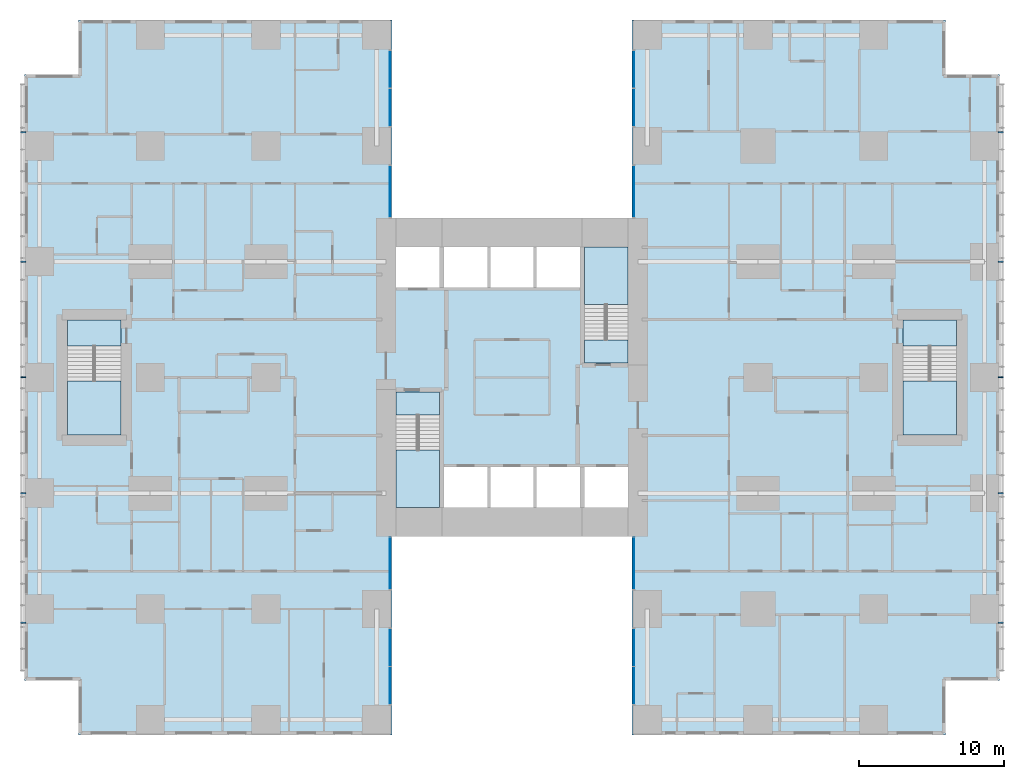
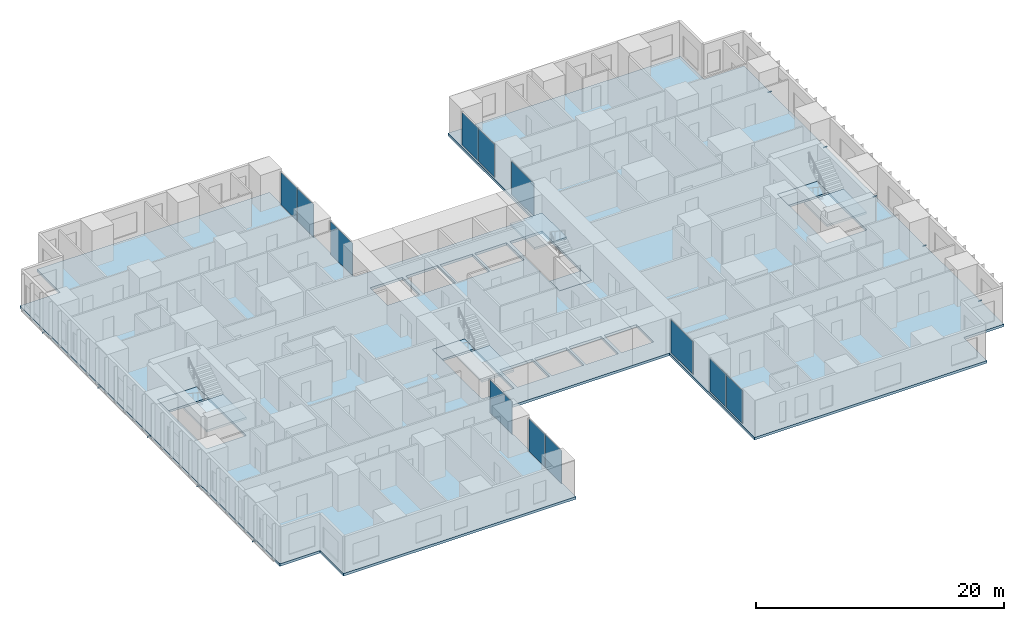
# One storey, part 7 of 20: 12 plates, 10 members, 9 slabs, 12 elements without a shape of their own.
"""IFC4 building model written with IfcOpenShell, lengths in metres."""

from ifc_helpers import new_model, si_unit, direction, frame, origin, origin_2d, place, context, subcontext, project, spatial, polyline, rectangle, hollow_rectangle, outline, extrude, material, layer, layer_set, material_profile, profile_set, type_object, element, aggregate, save


model = new_model("IFC4")

# Units and contexts
model_context = context("Model", 3, precision=1e-05, world=origin(), true_north=direction((0.0, 1.0)))
body_context = subcontext(model_context, "Body", "Model", "MODEL_VIEW")
ifc_project = project(units=[si_unit("LENGTHUNIT", "METRE"), si_unit("AREAUNIT", "SQUARE_METRE"), si_unit("VOLUMEUNIT", "CUBIC_METRE"), si_unit("PLANEANGLEUNIT", "RADIAN"), si_unit("MASSUNIT", "GRAM", prefix="KILO")], contexts=[model_context])

# Site, building, storey
site_placement = place(None, origin())
site = spatial("IfcSite", under=ifc_project, at=site_placement, CompositionType="ELEMENT")
building_placement = place(site_placement, origin())
building = spatial("IfcBuilding", under=site, at=building_placement, Name="Cleftline Residences", CompositionType="ELEMENT")
storey_placement = place(building_placement, frame((0.0, 0.0, 40.39990234375)))
storey = spatial("IfcBuildingStorey", under=building, at=storey_placement, Name="L09", CompositionType="ELEMENT", Elevation=40.39990234375)

# Members
ifc_material_1 = material(Name="Steel S355, hot-dip galvanised", Category="steel")
ifc_material_profile = material_profile(ifc_material_1, hollow_rectangle(XDim=0.10009765625, YDim=0.10009765625, WallThickness=0.008056640625, InnerFilletRadius=0.008056640625, OuterFilletRadius=0.011962890625, at=origin_2d()))
ifc_profile_set = profile_set([ifc_material_profile], Name="Steel S355, hot-dip galvanised")
member_type = type_object("IfcMemberType", Name="BAGUETTE BRACKET SHS 100X100X8", PredefinedType="USERDEFINED", material=ifc_profile_set)
for number, where, z_axis, x_axis, name in (
    (1, (66.60009765625, 7.050048828125, -0.14990234375), (1.0, 0.0, 0.0), (0.0, 1.0, 0.0), "Baguette bracket"),
    (2, (66.60009765625, 16.0, -0.14990234375), (1.0, 0.0, 0.0), (0.0, 1.0, 0.0), "Baguette bracket"),
    (3, (66.60009765625, 24.0, -0.14990234375), (1.0, 0.0, 0.0), (0.0, 1.0, 0.0), "Baguette bracket"),
    (4, (66.60009765625, 32.0, -0.14990234375), (1.0, 0.0, 0.0), (0.0, 1.0, 0.0), "Baguette bracket"),
    (5, (66.60009765625, 40.949951171875, -0.14990234375), (1.0, 0.0, 0.0), (0.0, 1.0, 0.0), "Baguette bracket"),
    (6, (-0.60009765625, 40.949951171875, -0.14990234375), (-1.0, 0.0, 0.0), (0.0, -1.0, 0.0), "Baguette bracket"),
    (7, (-0.60009765625, 32.0, -0.14990234375), (-1.0, 0.0, 0.0), (0.0, -1.0, 0.0), "Baguette bracket"),
    (8, (-0.60009765625, 24.0, -0.14990234375), (-1.0, 0.0, 0.0), (0.0, -1.0, 0.0), "Baguette bracket"),
    (9, (-0.60009765625, 16.0, -0.14990234375), (-1.0, 0.0, 0.0), (0.0, -1.0, 0.0), "Baguette bracket"),
    (10, (-0.60009765625, 7.050048828125, -0.14990234375), (-1.0, 0.0, 0.0), (0.0, -1.0, 0.0), "Baguette bracket"),
):
    element("IfcMember", number, at=place(storey_placement, frame(where, z_axis=z_axis, x_axis=x_axis)), inside=storey, type_object=member_type, Name=name, ObjectType="BAGUETTE BRACKET", PredefinedType="USERDEFINED", context=body_context, shape_type="SweptSolid", body=[
        extrude(hollow_rectangle(XDim=0.10009765625, YDim=0.10009765625, WallThickness=0.008056640625, InnerFilletRadius=0.008056640625, OuterFilletRadius=0.011962890625, at=origin_2d()), origin(), (0.0, 0.0, 1.0), 0.349853515625),
    ])

# Curtain wall, plates
ifc_material_2 = material(Name="Aluminium framed curtain wall", Category="aluminium")
ifc_layer_1 = layer(ifc_material_2, 0.199951171875)
ifc_layer_set_1 = layer_set([ifc_layer_1], Name="CW1 CLEFT GLAZING")
curtain_wall_type = type_object("IfcCurtainWallType", Name="CW1 CLEFT GLAZING", PredefinedType="NOTDEFINED", material=ifc_layer_set_1)
curtain_wall_1_placement = place(storey_placement, origin())
curtain_wall_1 = element("IfcCurtainWall", 11, at=curtain_wall_1_placement, inside=storey, type_object=curtain_wall_type, Name="Curtain wall CW1", PredefinedType="NOTDEFINED")
ifc_material_3 = material(Name="Laminated clear glass", Category="glass")
ifc_layer_2 = layer(ifc_material_3, 0.028076171875)
ifc_layer_set_2 = layer_set([ifc_layer_2], Name="CW1 GLASS PANEL")
plate_type = type_object("IfcPlateType", Name="CW1 GLASS PANEL", PredefinedType="CURTAIN_PANEL", material=ifc_layer_set_2)
plate_1_placement = place(storey_placement, frame((24.574951171875, 2.702392578125, 0.06005859375), z_axis=(0.0, 0.0, 1.0), x_axis=(0.0, 1.0, 0.0)))
plate_1 = element("IfcPlate", 12, at=plate_1_placement, type_object=plate_type, Name="CW1 panel 1.1", PredefinedType="CURTAIN_PANEL", context=body_context, shape_type="SweptSolid", body=[
    extrude(rectangle(XDim=2.5849609375, YDim=0.028076171875, at=origin_2d()), origin(), (0.0, 0.0, 1.0), 3.22998046875),
])
plate_2_placement = place(storey_placement, frame((24.574951171875, 5.347412109375, 0.06005859375), z_axis=(0.0, 0.0, 1.0), x_axis=(0.0, 1.0, 0.0)))
plate_2 = element("IfcPlate", 13, at=plate_2_placement, type_object=plate_type, Name="CW1 panel 2.1", PredefinedType="CURTAIN_PANEL", context=body_context, shape_type="SweptSolid", body=[
    extrude(rectangle(XDim=2.5849609375, YDim=0.028076171875, at=origin_2d()), origin(), (0.0, 0.0, 1.0), 3.22998046875),
])
aggregate(curtain_wall_1, [plate_1, plate_2])

# Curtain wall, plate
curtain_wall_2_placement = place(storey_placement, origin())
curtain_wall_2 = element("IfcCurtainWall", 14, at=curtain_wall_2_placement, inside=storey, type_object=curtain_wall_type, Name="Curtain wall CW1", PredefinedType="NOTDEFINED")
plate_3_placement = place(storey_placement, frame((24.574951171875, 11.14990234375, 0.06005859375), z_axis=(0.0, 0.0, 1.0), x_axis=(0.0, 1.0, 0.0)))
plate_3 = element("IfcPlate", 15, at=plate_3_placement, type_object=plate_type, Name="CW1 panel 1.1", PredefinedType="CURTAIN_PANEL", context=body_context, shape_type="SweptSolid", body=[
    extrude(rectangle(XDim=3.580078125, YDim=0.028076171875, at=origin_2d()), origin(), (0.0, 0.0, 1.0), 3.22998046875),
])
aggregate(curtain_wall_2, [plate_3])

curtain_wall_3_placement = place(storey_placement, origin())
curtain_wall_3 = element("IfcCurtainWall", 16, at=curtain_wall_3_placement, inside=storey, type_object=curtain_wall_type, Name="Curtain wall CW1", PredefinedType="NOTDEFINED")
plate_4_placement = place(storey_placement, frame((41.425048828125, 11.14990234375, 0.06005859375), z_axis=(0.0, 0.0, 1.0), x_axis=(0.0, -1.0, 0.0)))
plate_4 = element("IfcPlate", 17, at=plate_4_placement, type_object=plate_type, Name="CW1 panel 1.1", PredefinedType="CURTAIN_PANEL", context=body_context, shape_type="SweptSolid", body=[
    extrude(rectangle(XDim=3.580078125, YDim=0.028076171875, at=origin_2d()), origin(), (0.0, 0.0, 1.0), 3.22998046875),
])
aggregate(curtain_wall_3, [plate_4])

# Curtain wall, plates
curtain_wall_4_placement = place(storey_placement, origin())
curtain_wall_4 = element("IfcCurtainWall", 18, at=curtain_wall_4_placement, inside=storey, type_object=curtain_wall_type, Name="Curtain wall CW1", PredefinedType="NOTDEFINED")
plate_5_placement = place(storey_placement, frame((41.425048828125, 5.347412109375, 0.06005859375), z_axis=(0.0, 0.0, 1.0), x_axis=(0.0, -1.0, 0.0)))
plate_5 = element("IfcPlate", 19, at=plate_5_placement, type_object=plate_type, Name="CW1 panel 1.1", PredefinedType="CURTAIN_PANEL", context=body_context, shape_type="SweptSolid", body=[
    extrude(rectangle(XDim=2.5849609375, YDim=0.028076171875, at=origin_2d()), origin(), (0.0, 0.0, 1.0), 3.22998046875),
])
plate_6_placement = place(storey_placement, frame((41.425048828125, 2.702392578125, 0.06005859375), z_axis=(0.0, 0.0, 1.0), x_axis=(0.0, -1.0, 0.0)))
plate_6 = element("IfcPlate", 20, at=plate_6_placement, type_object=plate_type, Name="CW1 panel 2.1", PredefinedType="CURTAIN_PANEL", context=body_context, shape_type="SweptSolid", body=[
    extrude(rectangle(XDim=2.5849609375, YDim=0.028076171875, at=origin_2d()), origin(), (0.0, 0.0, 1.0), 3.22998046875),
])
aggregate(curtain_wall_4, [plate_5, plate_6])

curtain_wall_5_placement = place(storey_placement, origin())
curtain_wall_5 = element("IfcCurtainWall", 21, at=curtain_wall_5_placement, inside=storey, type_object=curtain_wall_type, Name="Curtain wall CW1", PredefinedType="NOTDEFINED")
plate_7_placement = place(storey_placement, frame((41.425048828125, 45.297607421875, 0.06005859375), z_axis=(0.0, 0.0, 1.0), x_axis=(0.0, -1.0, 0.0)))
plate_7 = element("IfcPlate", 22, at=plate_7_placement, type_object=plate_type, Name="CW1 panel 1.1", PredefinedType="CURTAIN_PANEL", context=body_context, shape_type="SweptSolid", body=[
    extrude(rectangle(XDim=2.5849609375, YDim=0.028076171875, at=origin_2d()), origin(), (0.0, 0.0, 1.0), 3.22998046875),
])
plate_8_placement = place(storey_placement, frame((41.425048828125, 42.652587890625, 0.06005859375), z_axis=(0.0, 0.0, 1.0), x_axis=(0.0, -1.0, 0.0)))
plate_8 = element("IfcPlate", 23, at=plate_8_placement, type_object=plate_type, Name="CW1 panel 2.1", PredefinedType="CURTAIN_PANEL", context=body_context, shape_type="SweptSolid", body=[
    extrude(rectangle(XDim=2.5849609375, YDim=0.028076171875, at=origin_2d()), origin(), (0.0, 0.0, 1.0), 3.22998046875),
])
aggregate(curtain_wall_5, [plate_7, plate_8])

# Curtain wall, plate
curtain_wall_6_placement = place(storey_placement, origin())
curtain_wall_6 = element("IfcCurtainWall", 24, at=curtain_wall_6_placement, inside=storey, type_object=curtain_wall_type, Name="Curtain wall CW1", PredefinedType="NOTDEFINED")
plate_9_placement = place(storey_placement, frame((41.425048828125, 36.85009765625, 0.06005859375), z_axis=(0.0, 0.0, 1.0), x_axis=(0.0, -1.0, 0.0)))
plate_9 = element("IfcPlate", 25, at=plate_9_placement, type_object=plate_type, Name="CW1 panel 1.1", PredefinedType="CURTAIN_PANEL", context=body_context, shape_type="SweptSolid", body=[
    extrude(rectangle(XDim=3.580078125, YDim=0.028076171875, at=origin_2d()), origin(), (0.0, 0.0, 1.0), 3.22998046875),
])
aggregate(curtain_wall_6, [plate_9])

curtain_wall_7_placement = place(storey_placement, origin())
curtain_wall_7 = element("IfcCurtainWall", 26, at=curtain_wall_7_placement, inside=storey, type_object=curtain_wall_type, Name="Curtain wall CW1", PredefinedType="NOTDEFINED")
plate_10_placement = place(storey_placement, frame((24.574951171875, 36.85009765625, 0.06005859375), z_axis=(0.0, 0.0, 1.0), x_axis=(0.0, 1.0, 0.0)))
plate_10 = element("IfcPlate", 27, at=plate_10_placement, type_object=plate_type, Name="CW1 panel 1.1", PredefinedType="CURTAIN_PANEL", context=body_context, shape_type="SweptSolid", body=[
    extrude(rectangle(XDim=3.580078125, YDim=0.028076171875, at=origin_2d()), origin(), (0.0, 0.0, 1.0), 3.22998046875),
])
aggregate(curtain_wall_7, [plate_10])

# Curtain wall, plates
curtain_wall_8_placement = place(storey_placement, origin())
curtain_wall_8 = element("IfcCurtainWall", 28, at=curtain_wall_8_placement, inside=storey, type_object=curtain_wall_type, Name="Curtain wall CW1", PredefinedType="NOTDEFINED")
plate_11_placement = place(storey_placement, frame((24.574951171875, 42.652587890625, 0.06005859375), z_axis=(0.0, 0.0, 1.0), x_axis=(0.0, 1.0, 0.0)))
plate_11 = element("IfcPlate", 29, at=plate_11_placement, type_object=plate_type, Name="CW1 panel 1.1", PredefinedType="CURTAIN_PANEL", context=body_context, shape_type="SweptSolid", body=[
    extrude(rectangle(XDim=2.5849609375, YDim=0.028076171875, at=origin_2d()), origin(), (0.0, 0.0, 1.0), 3.22998046875),
])
plate_12_placement = place(storey_placement, frame((24.574951171875, 45.297607421875, 0.06005859375), z_axis=(0.0, 0.0, 1.0), x_axis=(0.0, 1.0, 0.0)))
plate_12 = element("IfcPlate", 30, at=plate_12_placement, type_object=plate_type, Name="CW1 panel 2.1", PredefinedType="CURTAIN_PANEL", context=body_context, shape_type="SweptSolid", body=[
    extrude(rectangle(XDim=2.5849609375, YDim=0.028076171875, at=origin_2d()), origin(), (0.0, 0.0, 1.0), 3.22998046875),
])
aggregate(curtain_wall_8, [plate_11, plate_12])

# Slab
ifc_material_4 = material(Name="Concrete B45", Category="concrete")
ifc_layer_3 = layer(ifc_material_4, 0.25)
ifc_layer_set_3 = layer_set([ifc_layer_3], Name="FLOOR SLAB 250")
slab_type_1 = type_object("IfcSlabType", Name="FLOOR SLAB 250", PredefinedType="FLOOR", material=ifc_layer_set_3)
slab_1_placement = place(storey_placement, frame((0.0, 0.0, -0.25)))
element("IfcSlab", 31, at=slab_1_placement, inside=storey, type_object=slab_type_1, Name="Floor slab L09", PredefinedType="FLOOR", context=body_context, shape_type="SweptSolid", body=[
    extrude(outline(polyline([(24.699951171875, 13.0), (41.300048828125, 13.0), (41.300048828125, -0.699951171875), (62.949951171875, -0.699951171875), (62.949951171875, 3.050048828125), (66.699951171875, 3.050048828125), (66.699951171875, 44.949951171875), (62.949951171875, 44.949951171875), (62.949951171875, 48.699951171875), (41.300048828125, 48.699951171875), (41.300048828125, 35.0), (24.699951171875, 35.0), (24.699951171875, 48.699951171875), (3.050048828125, 48.699951171875), (3.050048828125, 44.949951171875), (-0.699951171875, 44.949951171875), (-0.699951171875, 3.050048828125), (3.050048828125, 3.050048828125), (3.050048828125, -0.699951171875), (24.699951171875, -0.699951171875), (24.699951171875, 13.0)]), holes=[polyline([(28.0, 15.0), (28.0, 23.0), (25.0, 23.0), (25.0, 15.0), (28.0, 15.0)]), polyline([(41.0, 25.0), (41.0, 33.0), (38.0, 33.0), (38.0, 25.0), (41.0, 25.0)]), polyline([(28.0, 30.199951171875), (28.0, 33.0), (25.0, 33.0), (25.0, 30.199951171875), (28.0, 30.199951171875)]), polyline([(41.0, 15.0), (41.0, 17.800048828125), (38.0, 17.800048828125), (38.0, 15.0), (41.0, 15.0)]), polyline([(31.300048828125, 15.0), (31.300048828125, 17.800048828125), (28.300048828125, 17.800048828125), (28.300048828125, 15.0), (31.300048828125, 15.0)]), polyline([(34.5, 15.0), (34.5, 17.800048828125), (31.5, 17.800048828125), (31.5, 15.0), (34.5, 15.0)]), polyline([(37.699951171875, 15.0), (37.699951171875, 17.800048828125), (34.699951171875, 17.800048828125), (34.699951171875, 15.0), (37.699951171875, 15.0)]), polyline([(31.300048828125, 30.199951171875), (31.300048828125, 33.0), (28.300048828125, 33.0), (28.300048828125, 30.199951171875), (31.300048828125, 30.199951171875)]), polyline([(34.5, 30.199951171875), (34.5, 33.0), (31.5, 33.0), (31.5, 30.199951171875), (34.5, 30.199951171875)]), polyline([(37.699951171875, 30.199951171875), (37.699951171875, 33.0), (34.699951171875, 33.0), (34.699951171875, 30.199951171875), (37.699951171875, 30.199951171875)]), polyline([(63.72509765625, 20.02490234375), (63.72509765625, 27.97509765625), (60.02490234375, 27.97509765625), (60.02490234375, 20.02490234375), (63.72509765625, 20.02490234375)]), polyline([(5.97509765625, 20.02490234375), (5.97509765625, 27.97509765625), (2.27490234375, 27.97509765625), (2.27490234375, 20.02490234375), (5.97509765625, 20.02490234375)])]), origin(), (0.0, 0.0, 1.0), 0.25),
])

# Stair, slabs
ifc_material_5 = material(Name="Concrete B45, stone treads", Category="masonry")
stair_type_1 = type_object("IfcStairType", Name="STAIR A 1450 WIDE 180 RISER", PredefinedType="HALF_TURN_STAIR", material=ifc_material_5)
stair_1_placement = place(storey_placement, origin())
stair_1 = element("IfcStair", 32, at=stair_1_placement, inside=storey, type_object=stair_type_1, Name="Stair A L09", PredefinedType="HALF_TURN_STAIR")
ifc_material_6 = material(Name="Concrete B45", Category="concrete")
ifc_layer_4 = layer(ifc_material_6, 0.199951171875)
ifc_layer_set_4 = layer_set([ifc_layer_4], Name="STAIR LANDING 200")
slab_type_2 = type_object("IfcSlabType", Name="STAIR LANDING 200", PredefinedType="LANDING", material=ifc_layer_set_4)
slab_2_placement = place(storey_placement, frame((0.0, 0.0, -0.199951171875)))
slab_2 = element("IfcSlab", 33, at=slab_2_placement, type_object=slab_type_2, Name="ST-A landing 1", PredefinedType="LANDING", context=body_context, shape_type="SweptSolid", body=[
    extrude(outline(polyline([(25.0, 21.39990234375), (28.0, 21.39990234375), (28.0, 23.0), (25.0, 23.0), (25.0, 21.39990234375)])), origin(), (0.0, 0.0, 1.0), 0.199951171875),
])
slab_3_placement = place(storey_placement, frame((0.0, 0.0, 1.60009765625)))
slab_3 = element("IfcSlab", 34, at=slab_3_placement, type_object=slab_type_2, Name="ST-A landing 2", PredefinedType="LANDING", context=body_context, shape_type="SweptSolid", body=[
    extrude(outline(polyline([(25.0, 15.0), (28.0, 15.0), (28.0, 18.969970703125), (25.0, 18.969970703125), (25.0, 15.0)])), origin(), (0.0, 0.0, 1.0), 0.199951171875),
])
aggregate(stair_1, [slab_2, slab_3])

ifc_material_7 = material(Name="Concrete B45, stone treads", Category="masonry")
stair_type_2 = type_object("IfcStairType", Name="STAIR B 1450 WIDE 180 RISER", PredefinedType="HALF_TURN_STAIR", material=ifc_material_7)
stair_2_placement = place(storey_placement, origin())
stair_2 = element("IfcStair", 35, at=stair_2_placement, inside=storey, type_object=stair_type_2, Name="Stair B L09", PredefinedType="HALF_TURN_STAIR")
slab_4_placement = place(storey_placement, frame((0.0, 0.0, -0.199951171875)))
slab_4 = element("IfcSlab", 36, at=slab_4_placement, type_object=slab_type_2, Name="ST-B landing 1", PredefinedType="LANDING", context=body_context, shape_type="SweptSolid", body=[
    extrude(outline(polyline([(38.0, 25.0), (41.0, 25.0), (41.0, 26.60009765625), (38.0, 26.60009765625), (38.0, 25.0)])), origin(), (0.0, 0.0, 1.0), 0.199951171875),
])
slab_5_placement = place(storey_placement, frame((0.0, 0.0, 1.60009765625)))
slab_5 = element("IfcSlab", 37, at=slab_5_placement, type_object=slab_type_2, Name="ST-B landing 2", PredefinedType="LANDING", context=body_context, shape_type="SweptSolid", body=[
    extrude(outline(polyline([(38.0, 29.030029296875), (41.0, 29.030029296875), (41.0, 33.0), (38.0, 33.0), (38.0, 29.030029296875)])), origin(), (0.0, 0.0, 1.0), 0.199951171875),
])
aggregate(stair_2, [slab_4, slab_5])

ifc_material_8 = material(Name="Concrete B45, stone treads", Category="masonry")
stair_type_3 = type_object("IfcStairType", Name="STAIR E 1800 WIDE 180 RISER", PredefinedType="HALF_TURN_STAIR", material=ifc_material_8)
stair_3_placement = place(storey_placement, origin())
stair_3 = element("IfcStair", 38, at=stair_3_placement, inside=storey, type_object=stair_type_3, Name="Stair E L09", PredefinedType="HALF_TURN_STAIR")
slab_6_placement = place(storey_placement, frame((0.0, 0.0, -0.199951171875)))
slab_6 = element("IfcSlab", 39, at=slab_6_placement, type_object=slab_type_2, Name="ST-E landing 1", PredefinedType="LANDING", context=body_context, shape_type="SweptSolid", body=[
    extrude(outline(polyline([(60.02490234375, 26.175048828125), (63.72509765625, 26.175048828125), (63.72509765625, 27.97509765625), (60.02490234375, 27.97509765625), (60.02490234375, 26.175048828125)])), origin(), (0.0, 0.0, 1.0), 0.199951171875),
])
slab_7_placement = place(storey_placement, frame((0.0, 0.0, 1.60009765625)))
slab_7 = element("IfcSlab", 40, at=slab_7_placement, type_object=slab_type_2, Name="ST-E landing 2", PredefinedType="LANDING", context=body_context, shape_type="SweptSolid", body=[
    extrude(outline(polyline([(60.02490234375, 20.02490234375), (63.72509765625, 20.02490234375), (63.72509765625, 23.7451171875), (60.02490234375, 23.7451171875), (60.02490234375, 20.02490234375)])), origin(), (0.0, 0.0, 1.0), 0.199951171875),
])
aggregate(stair_3, [slab_6, slab_7])

ifc_material_9 = material(Name="Concrete B45, stone treads", Category="masonry")
stair_type_4 = type_object("IfcStairType", Name="STAIR W 1800 WIDE 180 RISER", PredefinedType="HALF_TURN_STAIR", material=ifc_material_9)
stair_4_placement = place(storey_placement, origin())
stair_4 = element("IfcStair", 41, at=stair_4_placement, inside=storey, type_object=stair_type_4, Name="Stair W L09", PredefinedType="HALF_TURN_STAIR")
slab_8_placement = place(storey_placement, frame((0.0, 0.0, -0.199951171875)))
slab_8 = element("IfcSlab", 42, at=slab_8_placement, type_object=slab_type_2, Name="ST-W landing 1", PredefinedType="LANDING", context=body_context, shape_type="SweptSolid", body=[
    extrude(outline(polyline([(2.27490234375, 26.175048828125), (5.97509765625, 26.175048828125), (5.97509765625, 27.97509765625), (2.27490234375, 27.97509765625), (2.27490234375, 26.175048828125)])), origin(), (0.0, 0.0, 1.0), 0.199951171875),
])
slab_9_placement = place(storey_placement, frame((0.0, 0.0, 1.60009765625)))
slab_9 = element("IfcSlab", 43, at=slab_9_placement, type_object=slab_type_2, Name="ST-W landing 2", PredefinedType="LANDING", context=body_context, shape_type="SweptSolid", body=[
    extrude(outline(polyline([(2.27490234375, 20.02490234375), (5.97509765625, 20.02490234375), (5.97509765625, 23.7451171875), (2.27490234375, 23.7451171875), (2.27490234375, 20.02490234375)])), origin(), (0.0, 0.0, 1.0), 0.199951171875),
])
aggregate(stair_4, [slab_8, slab_9])

save(model, "model.ifc")
